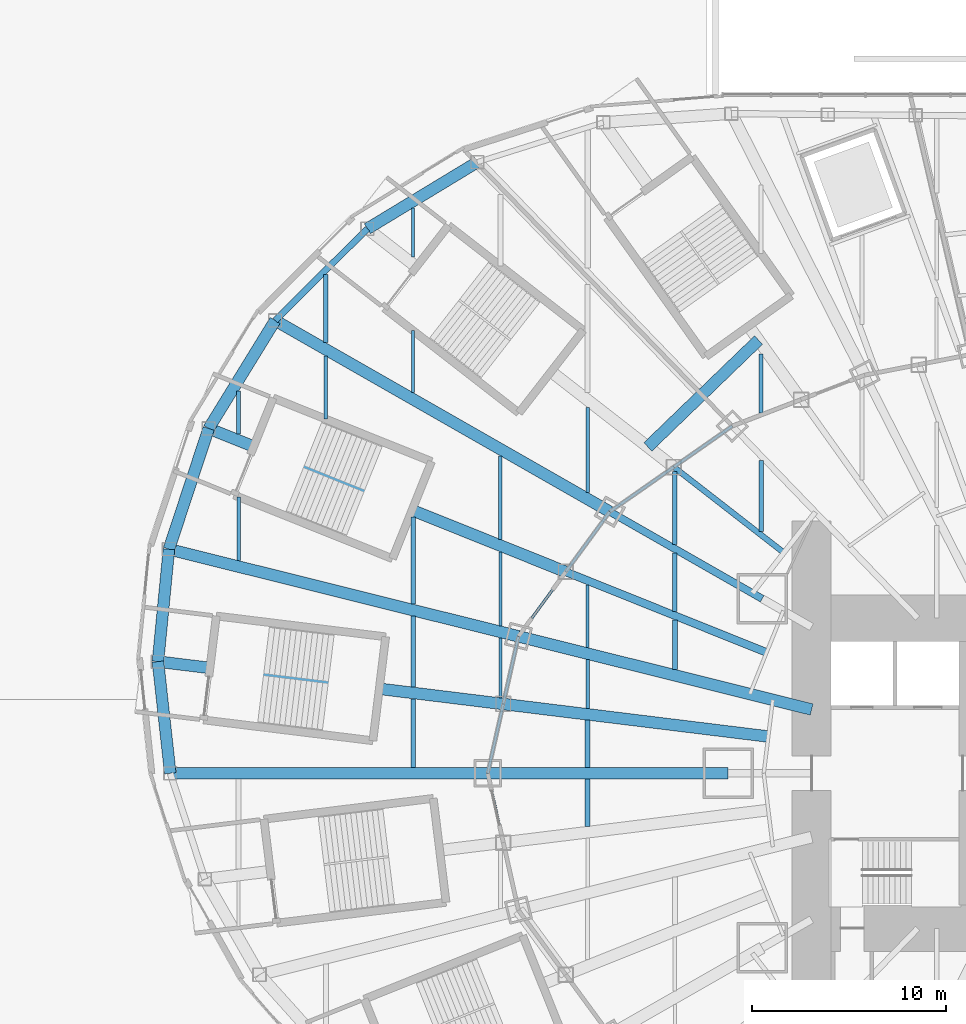
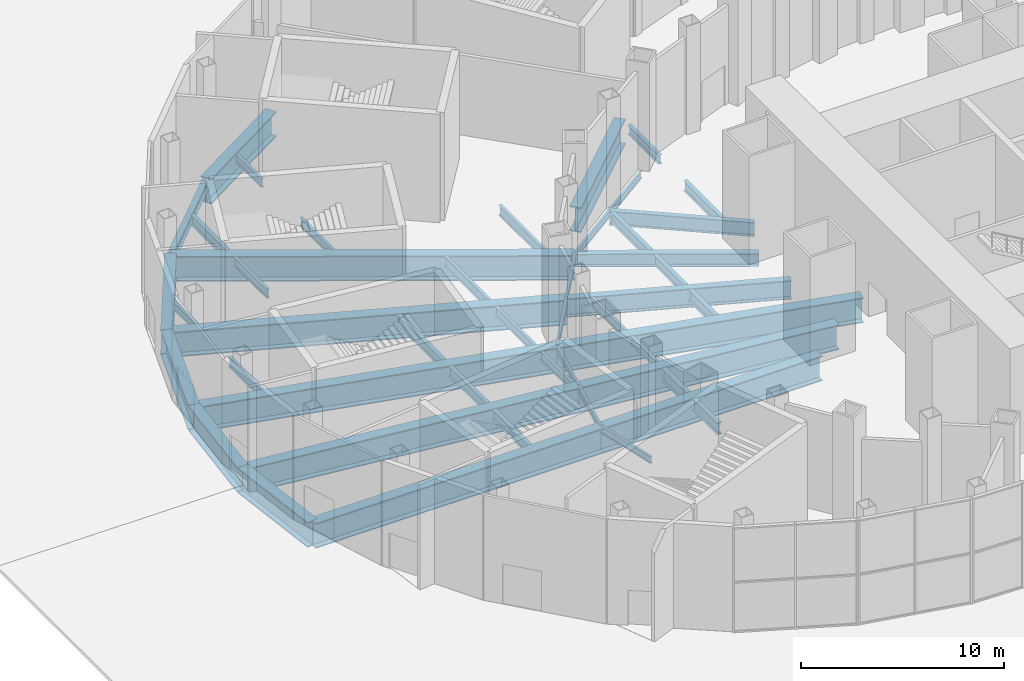
# One storey, part 5 of 47: 47 beams.
"""IFC4 building model written with IfcOpenShell, lengths in metres."""

from ifc_helpers import new_model, si_unit, direction, frame, origin, origin_2d, place, context, subcontext, project, spatial, i_section, extrude, material, material_profile, profile_set, type_object, element, save


model = new_model("IFC4")

# Units and contexts
model_context = context("Model", 3, precision=1e-05, world=origin(), true_north=direction((0.0, 1.0)))
body_context = subcontext(model_context, "Body", "Model", "MODEL_VIEW")
ifc_project = project(units=[si_unit("LENGTHUNIT", "METRE"), si_unit("AREAUNIT", "SQUARE_METRE"), si_unit("VOLUMEUNIT", "CUBIC_METRE"), si_unit("PLANEANGLEUNIT", "RADIAN"), si_unit("MASSUNIT", "GRAM", prefix="KILO")], contexts=[model_context])

# Site, building, storey
site_placement = place(None, origin())
site = spatial("IfcSite", under=ifc_project, at=site_placement, CompositionType="ELEMENT")
building_placement = place(site_placement, origin())
building = spatial("IfcBuilding", under=site, at=building_placement, Name="Lantaw Convention Tower", CompositionType="ELEMENT")
storey_placement = place(building_placement, origin())
storey = spatial("IfcBuildingStorey", under=building, at=storey_placement, Name="L00", CompositionType="ELEMENT", Elevation=0.0)

# Beams
ifc_material_1 = material(Name="Steel ASTM A572 Grade 50", Category="steel")
ifc_material_profile_1 = material_profile(ifc_material_1, i_section(OverallWidth=0.60009765625, OverallDepth=1.5, WebThickness=0.02490234375, FlangeThickness=0.06005859375, at=origin_2d()), Name="PG1500X600X25X60")
ifc_profile_set_1 = profile_set([ifc_material_profile_1], Name="Steel ASTM A572 Grade 50")
beam_type_1 = type_object("IfcBeamType", Name="Beam E PG1500X600X25X60", PredefinedType="SPANDREL", material=ifc_profile_set_1)
beam_1_placement = place(storey_placement, frame((-30.43603515625, 31.517578125, -1.199951171875), z_axis=(-0.855269526547, -0.518183400893, 0.0), x_axis=(0.518183400893, -0.855269526547, 0.0)))
element("IfcBeam", 1, at=beam_1_placement, inside=storey, type_object=beam_type_1, Name="Podium edge beam R09", PredefinedType="SPANDREL", context=body_context, shape_type="SweptSolid", body=[
    extrude(i_section(OverallWidth=0.60009765625, OverallDepth=1.5, WebThickness=0.02490234375, FlangeThickness=0.06005859375, at=origin_2d()), origin(), (0.0, 0.0, 1.0), 6.63134765625),
])
beam_2_placement = place(storey_placement, frame((-40.864013671875, 23.350830078125, -1.199951171875), z_axis=(-0.524178644867, -0.851608330317, 0.0), x_axis=(0.851608330317, -0.524178644867, 0.0)))
element("IfcBeam", 2, at=beam_2_placement, inside=storey, type_object=beam_type_1, Name="Podium edge beam R10", PredefinedType="SPANDREL", context=body_context, shape_type="SweptSolid", body=[
    extrude(i_section(OverallWidth=0.60009765625, OverallDepth=1.5, WebThickness=0.02490234375, FlangeThickness=0.06005859375, at=origin_2d()), origin(), (0.0, 0.0, 1.0), 6.54052734375),
])
beam_3_placement = place(storey_placement, frame((-44.29248046875, 17.78076171875, -1.199951171875), z_axis=(-0.312739573604, -0.949838912186, 0.0), x_axis=(0.949838912186, -0.312739573604, 0.0)))
element("IfcBeam", 3, at=beam_3_placement, inside=storey, type_object=beam_type_1, Name="Podium edge beam B10", PredefinedType="SPANDREL", context=body_context, shape_type="SweptSolid", body=[
    extrude(i_section(OverallWidth=0.60009765625, OverallDepth=1.5, WebThickness=0.02490234375, FlangeThickness=0.06005859375, at=origin_2d()), origin(), (0.0, 0.0, 1.0), 6.55517578125),
])
beam_4_placement = place(storey_placement, frame((-46.342529296875, 11.554443359375, -1.199951171875), z_axis=(-0.097112121047, -0.995273447825, 0.0), x_axis=(0.995273447825, -0.097112121047, 0.0)))
element("IfcBeam", 4, at=beam_4_placement, inside=storey, type_object=beam_type_1, Name="Podium edge beam R11", PredefinedType="SPANDREL", context=body_context, shape_type="SweptSolid", body=[
    extrude(i_section(OverallWidth=0.60009765625, OverallDepth=1.5, WebThickness=0.02490234375, FlangeThickness=0.06005859375, at=origin_2d()), origin(), (0.0, 0.0, 1.0), 5.822509765625),
])
beam_5_placement = place(storey_placement, frame((-46.907958984375, 5.759521484375, -1.199951171875), z_axis=(0.109673093737, -0.993967712006, 0.0), x_axis=(0.993967712006, 0.109673093737, 0.0)))
element("IfcBeam", 5, at=beam_5_placement, inside=storey, type_object=beam_type_1, Name="Podium edge beam B11", PredefinedType="SPANDREL", context=body_context, shape_type="SweptSolid", body=[
    extrude(i_section(OverallWidth=0.60009765625, OverallDepth=1.5, WebThickness=0.02490234375, FlangeThickness=0.06005859375, at=origin_2d()), origin(), (0.0, 0.0, 1.0), 5.79443359375),
])
ifc_material_2 = material(Name="Steel ASTM A992", Category="steel")
ifc_material_profile_2 = material_profile(ifc_material_2, i_section(OverallWidth=0.140380859375, OverallDepth=0.40380859375, WebThickness=0.007080078125, FlangeThickness=0.01123046875, FilletRadius=0.01025390625, at=origin_2d()), Name="W16X31")
ifc_profile_set_2 = profile_set([ifc_material_profile_2], Name="Steel ASTM A992")
beam_type_2 = type_object("IfcBeamType", Name="Beam E W16X31", PredefinedType="SPANDREL", material=ifc_profile_set_2)
beam_6_placement = place(storey_placement, frame((-17.290771484375, 17.9052734375, -0.65185546875), z_axis=(-0.819409395821, -0.573208724672, 0.0), x_axis=(0.573208724672, -0.819409395821, 0.0)))
element("IfcBeam", 6, at=beam_6_placement, inside=storey, type_object=beam_type_2, Name="Edge beam 10", PredefinedType="SPANDREL", context=body_context, shape_type="SweptSolid", body=[
    extrude(i_section(OverallWidth=0.140380859375, OverallDepth=0.40380859375, WebThickness=0.007080078125, FlangeThickness=0.01123046875, FilletRadius=0.01025390625, at=origin_2d()), origin(), (0.0, 0.0, 1.0), 3.682861328125),
])
beam_7_placement = place(storey_placement, frame((-20.30859375, 15.794189453125, -0.65185546875), z_axis=(-0.819442856133, -0.573160889744, 0.0), x_axis=(0.573160889744, -0.819442856133, 0.0)))
element("IfcBeam", 7, at=beam_7_placement, inside=storey, type_object=beam_type_2, Name="Edge beam 10", PredefinedType="SPANDREL", context=body_context, shape_type="SweptSolid", body=[
    extrude(i_section(OverallWidth=0.140380859375, OverallDepth=0.40380859375, WebThickness=0.007080078125, FlangeThickness=0.01123046875, FilletRadius=0.01025390625, at=origin_2d()), origin(), (0.0, 0.0, 1.0), 4.022705078125),
])
beam_8_placement = place(storey_placement, frame((-23.60498046875, 13.488525390625, -0.65185546875), z_axis=(-0.591286566758, -0.806461527893, 0.0), x_axis=(0.806461527893, -0.591286566758, 0.0)))
element("IfcBeam", 8, at=beam_8_placement, inside=storey, type_object=beam_type_2, Name="Edge beam 11", PredefinedType="SPANDREL", context=body_context, shape_type="SweptSolid", body=[
    extrude(i_section(OverallWidth=0.140380859375, OverallDepth=0.40380859375, WebThickness=0.007080078125, FlangeThickness=0.01123046875, FilletRadius=0.01025390625, at=origin_2d()), origin(), (0.0, 0.0, 1.0), 3.843994140625),
])
beam_9_placement = place(storey_placement, frame((-25.8779296875, 10.388427734375, -0.65185546875), z_axis=(-0.591255937291, -0.806483984105, 0.0), x_axis=(0.806483984105, -0.591255937291, 0.0)))
element("IfcBeam", 9, at=beam_9_placement, inside=storey, type_object=beam_type_2, Name="Edge beam 11", PredefinedType="SPANDREL", context=body_context, shape_type="SweptSolid", body=[
    extrude(i_section(OverallWidth=0.140380859375, OverallDepth=0.40380859375, WebThickness=0.007080078125, FlangeThickness=0.01123046875, FilletRadius=0.01025390625, at=origin_2d()), origin(), (0.0, 0.0, 1.0), 4.126708984375),
])
beam_10_placement = place(storey_placement, frame((-28.31787109375, 7.060302734375, -0.65185546875), z_axis=(-0.218673326171, -0.97579812278, 0.0), x_axis=(0.97579812278, -0.218673326171, 0.0)))
element("IfcBeam", 10, at=beam_10_placement, inside=storey, type_object=beam_type_2, Name="Edge beam 12", PredefinedType="SPANDREL", context=body_context, shape_type="SweptSolid", body=[
    extrude(i_section(OverallWidth=0.140380859375, OverallDepth=0.40380859375, WebThickness=0.007080078125, FlangeThickness=0.01123046875, FilletRadius=0.01025390625, at=origin_2d()), origin(), (0.0, 0.0, 1.0), 3.57373046875),
])
for number, where, z_axis, x_axis, name in (
    (11, (-29.099365234375, 3.572998046875, -0.65185546875), (-0.218631550323, -0.975807483679, 0.0), (0.975807483679, -0.218631550323, 0.0), "Edge beam 12"),
    (12, (-29.89990234375, 0.0, -0.65185546875), (0.218631550323, -0.975807483679, 0.0), (0.975807483679, 0.218631550323, 0.0), "Edge beam 13"),
):
    element("IfcBeam", number, at=place(storey_placement, frame(where, z_axis=z_axis, x_axis=x_axis)), inside=storey, type_object=beam_type_2, Name=name, PredefinedType="SPANDREL", context=body_context, shape_type="SweptSolid", body=[
        extrude(i_section(OverallWidth=0.140380859375, OverallDepth=0.40380859375, WebThickness=0.007080078125, FlangeThickness=0.01123046875, FilletRadius=0.01025390625, at=origin_2d()), origin(), (0.0, 0.0, 1.0), 3.66162109375),
    ])
ifc_material_profile_3 = material_profile(ifc_material_2, i_section(OverallWidth=0.3251953125, OverallDepth=0.612060546875, WebThickness=0.0126953125, FlangeThickness=0.01904296875, FilletRadius=0.0126953125, at=origin_2d()), Name="W24X104")
ifc_profile_set_3 = profile_set([ifc_material_profile_3], Name="Steel ASTM A992")
beam_type_3 = type_object("IfcBeamType", Name="Beam E W24X104", PredefinedType="SPANDREL", material=ifc_profile_set_3)
beam_11_placement = place(storey_placement, frame((-36.107666015625, 28.081298828125, -0.756103515625), z_axis=(-0.709033046271, -0.705175254314, 0.0), x_axis=(0.705175254314, -0.709033046271, 0.0)))
element("IfcBeam", 13, at=beam_11_placement, inside=storey, type_object=beam_type_3, Name="Podium edge beam B09", PredefinedType="SPANDREL", context=body_context, shape_type="SweptSolid", body=[
    extrude(i_section(OverallWidth=0.3251953125, OverallDepth=0.612060546875, WebThickness=0.0126953125, FlangeThickness=0.01904296875, FilletRadius=0.0126953125, at=origin_2d()), origin(), (0.0, 0.0, 1.0), 6.708251953125),
])
ifc_material_profile_4 = material_profile(ifc_material_1, i_section(OverallWidth=0.60009765625, OverallDepth=1.5, WebThickness=0.02490234375, FlangeThickness=0.06005859375, at=origin_2d()), Name="PG1500X600X25X60")
ifc_profile_set_4 = profile_set([ifc_material_profile_4], Name="Steel ASTM A572 Grade 50")
beam_type_4 = type_object("IfcBeamType", Name="Beam G PG1500X600X25X60", PredefinedType="BEAM", material=ifc_profile_set_4)
beam_12_placement = place(storey_placement, frame((-13.199951171875, 3.291015625, -1.199951171875), z_axis=(-0.970296233567, 0.241919860957, 0.0), x_axis=(-0.241919860957, -0.970296233567, 0.0)))
element("IfcBeam", 14, at=beam_12_placement, inside=storey, type_object=beam_type_4, Name="Floor girder on ray 12", PredefinedType="BEAM", context=body_context, shape_type="SweptSolid", body=[
    extrude(i_section(OverallWidth=0.60009765625, OverallDepth=1.5, WebThickness=0.02490234375, FlangeThickness=0.06005859375, at=origin_2d()), origin(), (0.0, 0.0, 1.0), 15.580810546875),
])
beam_13_placement = place(storey_placement, frame((-15.433349609375, 1.89501953125, -1.199951171875), z_axis=(-0.99254612715, 0.121869542874, 0.0), x_axis=(-0.121869542874, -0.99254612715, 0.0)))
element("IfcBeam", 15, at=beam_13_placement, inside=storey, type_object=beam_type_4, Name="Floor girder on bisector 12", PredefinedType="BEAM", context=body_context, shape_type="SweptSolid", body=[
    extrude(i_section(OverallWidth=0.60009765625, OverallDepth=1.5, WebThickness=0.02490234375, FlangeThickness=0.06005859375, at=origin_2d()), origin(), (0.0, 0.0, 1.0), 13.7685546875),
])
beam_14_placement = place(storey_placement, frame((-17.5, 0.0, -1.199951171875), z_axis=(-1.0, 0.0, 0.0), x_axis=(0.0, -1.0, 0.0)))
element("IfcBeam", 16, at=beam_14_placement, inside=storey, type_object=beam_type_4, Name="Floor girder on ray 13", PredefinedType="BEAM", context=body_context, shape_type="SweptSolid", body=[
    extrude(i_section(OverallWidth=0.60009765625, OverallDepth=1.5, WebThickness=0.02490234375, FlangeThickness=0.06005859375, at=origin_2d()), origin(), (0.0, 0.0, 1.0), 12.39990234375),
])
ifc_material_profile_5 = material_profile(ifc_material_2, i_section(OverallWidth=0.381103515625, OverallDepth=0.772216796875, WebThickness=0.0166015625, FlangeThickness=0.027099609375, FilletRadius=0.0146484375, at=origin_2d()), Name="W30X173")
ifc_profile_set_5 = profile_set([ifc_material_profile_5], Name="Steel ASTM A992")
beam_type_5 = type_object("IfcBeamType", Name="Beam G W30X173", PredefinedType="BEAM", material=ifc_profile_set_5)
beam_15_placement = place(storey_placement, frame((-15.75, 9.0, -0.836181640625), z_axis=(-0.868244802791, 0.496136032179, 0.0), x_axis=(-0.496136032179, -0.868244802791, 0.0)))
element("IfcBeam", 17, at=beam_15_placement, inside=storey, type_object=beam_type_5, Name="Floor girder on ray 11", PredefinedType="BEAM", context=body_context, shape_type="SweptSolid", body=[
    extrude(i_section(OverallWidth=0.381103515625, OverallDepth=0.772216796875, WebThickness=0.0166015625, FlangeThickness=0.027099609375, FilletRadius=0.0146484375, at=origin_2d()), origin(), (0.0, 0.0, 1.0), 9.046875),
])
ifc_material_profile_6 = material_profile(ifc_material_2, i_section(OverallWidth=0.2919921875, OverallDepth=0.845703125, WebThickness=0.015380859375, FlangeThickness=0.0244140625, FilletRadius=0.01513671875, at=origin_2d()), Name="W33X141")
ifc_profile_set_6 = profile_set([ifc_material_profile_6], Name="Steel ASTM A992")
beam_type_6 = type_object("IfcBeamType", Name="Beam G W33X141", PredefinedType="BEAM", material=ifc_profile_set_6)
beam_16_placement = place(storey_placement, frame((-14.628173828125, 11.37646484375, -0.872802734375), z_axis=(-0.789377792374, 0.613907729961, 0.0), x_axis=(-0.613907729961, -0.789377792374, 0.0)))
element("IfcBeam", 18, at=beam_16_placement, inside=storey, type_object=beam_type_6, Name="Floor girder on bisector 10", PredefinedType="BEAM", context=body_context, shape_type="SweptSolid", body=[
    extrude(i_section(OverallWidth=0.2919921875, OverallDepth=0.845703125, WebThickness=0.015380859375, FlangeThickness=0.0244140625, FilletRadius=0.01513671875, at=origin_2d()), origin(), (0.0, 0.0, 1.0), 7.196044921875),
])
ifc_material_profile_7 = material_profile(ifc_material_2, i_section(OverallWidth=0.40380859375, OverallDepth=1.11767578125, WebThickness=0.026123046875, FlangeThickness=0.044921875, FilletRadius=0.02001953125, at=origin_2d()), Name="W44X335")
ifc_profile_set_7 = profile_set([ifc_material_profile_7], Name="Steel ASTM A992")
beam_type_7 = type_object("IfcBeamType", Name="Beam G W44X335", PredefinedType="BEAM", material=ifc_profile_set_7)
beam_17_placement = place(storey_placement, frame((-15.52001953125, 6.23046875, -1.0087890625), z_axis=(-0.928018900171, 0.372533113864, 0.0), x_axis=(-0.372533113864, -0.928018900171, 0.0)))
element("IfcBeam", 19, at=beam_17_placement, inside=storey, type_object=beam_type_7, Name="Floor girder on bisector 11", PredefinedType="BEAM", context=body_context, shape_type="SweptSolid", body=[
    extrude(i_section(OverallWidth=0.40380859375, OverallDepth=1.11767578125, WebThickness=0.026123046875, FlangeThickness=0.044921875, FilletRadius=0.02001953125, at=origin_2d()), origin(), (0.0, 0.0, 1.0), 11.161376953125),
])
ifc_material_profile_8 = material_profile(ifc_material_2, i_section(OverallWidth=0.1904296875, OverallDepth=0.457275390625, WebThickness=0.009033203125, FlangeThickness=0.014404296875, FilletRadius=0.01025390625, at=origin_2d()), Name="W18X50")
ifc_profile_set_8 = profile_set([ifc_material_profile_8], Name="Steel ASTM A992")
beam_type_8 = type_object("IfcBeamType", Name="Beam J W18X50", PredefinedType="JOIST", material=ifc_profile_set_8)
beam_18_placement = place(storey_placement, frame((-42.75, 17.48486328125, -0.6787109375), z_axis=(0.0, 1.0, 0.0), x_axis=(-1.0, 0.0, 0.0)))
element("IfcBeam", 20, at=beam_18_placement, inside=storey, type_object=beam_type_8, Name="Floor joist", PredefinedType="JOIST", context=body_context, shape_type="SweptSolid", body=[
    extrude(i_section(OverallWidth=0.1904296875, OverallDepth=0.457275390625, WebThickness=0.009033203125, FlangeThickness=0.014404296875, FilletRadius=0.01025390625, at=origin_2d()), origin(), (0.0, 0.0, 1.0), 2.2294921875),
])
beam_19_placement = place(storey_placement, frame((-24.75, 3.341064453125, -0.6787109375), z_axis=(0.0, 1.0, 0.0), x_axis=(-1.0, 0.0, 0.0)))
element("IfcBeam", 21, at=beam_19_placement, inside=storey, type_object=beam_type_8, Name="Floor joist", PredefinedType="JOIST", context=body_context, shape_type="SweptSolid", body=[
    extrude(i_section(OverallWidth=0.1904296875, OverallDepth=0.457275390625, WebThickness=0.009033203125, FlangeThickness=0.014404296875, FilletRadius=0.01025390625, at=origin_2d()), origin(), (0.0, 0.0, 1.0), 2.5205078125),
])
ifc_material_profile_9 = material_profile(ifc_material_2, i_section(OverallWidth=0.1650390625, OverallDepth=0.52587890625, WebThickness=0.0087890625, FlangeThickness=0.011474609375, FilletRadius=0.0126953125, at=origin_2d()), Name="W21X44")
ifc_profile_set_9 = profile_set([ifc_material_profile_9], Name="Steel ASTM A992")
beam_type_9 = type_object("IfcBeamType", Name="Beam J W21X44", PredefinedType="JOIST", material=ifc_profile_set_9)
beam_20_placement = place(storey_placement, frame((-33.75, 19.63134765625, -0.712890625), z_axis=(0.0, 1.0, 0.0), x_axis=(-1.0, 0.0, 0.0)))
element("IfcBeam", 22, at=beam_20_placement, inside=storey, type_object=beam_type_9, Name="Floor joist", PredefinedType="JOIST", context=body_context, shape_type="SweptSolid", body=[
    extrude(i_section(OverallWidth=0.1650390625, OverallDepth=0.52587890625, WebThickness=0.0087890625, FlangeThickness=0.011474609375, FilletRadius=0.0126953125, at=origin_2d()), origin(), (0.0, 0.0, 1.0), 3.19580078125),
])
beam_21_placement = place(storey_placement, frame((-33.75, 26.627685546875, -0.712890625), z_axis=(0.0, 1.0, 0.0), x_axis=(-1.0, 0.0, 0.0)))
element("IfcBeam", 23, at=beam_21_placement, inside=storey, type_object=beam_type_9, Name="Floor joist", PredefinedType="JOIST", context=body_context, shape_type="SweptSolid", body=[
    extrude(i_section(OverallWidth=0.1650390625, OverallDepth=0.52587890625, WebThickness=0.0087890625, FlangeThickness=0.011474609375, FilletRadius=0.0126953125, at=origin_2d()), origin(), (0.0, 0.0, 1.0), 2.53125),
])
beam_22_placement = place(storey_placement, frame((-29.25, 3.893798828125, -0.712890625), z_axis=(0.0, 1.0, 0.0), x_axis=(-1.0, 0.0, 0.0)))
element("IfcBeam", 24, at=beam_22_placement, inside=storey, type_object=beam_type_9, Name="Floor joist", PredefinedType="JOIST", context=body_context, shape_type="SweptSolid", body=[
    extrude(i_section(OverallWidth=0.1650390625, OverallDepth=0.52587890625, WebThickness=0.0087890625, FlangeThickness=0.011474609375, FilletRadius=0.0126953125, at=origin_2d()), origin(), (0.0, 0.0, 1.0), 3.08984375),
])
beam_23_placement = place(storey_placement, frame((-24.75, 6.47998046875, -0.712890625), z_axis=(0.0, 1.0, 0.0), x_axis=(-1.0, 0.0, 0.0)))
element("IfcBeam", 25, at=beam_23_placement, inside=storey, type_object=beam_type_9, Name="Floor joist", PredefinedType="JOIST", context=body_context, shape_type="SweptSolid", body=[
    extrude(i_section(OverallWidth=0.1650390625, OverallDepth=0.52587890625, WebThickness=0.0087890625, FlangeThickness=0.011474609375, FilletRadius=0.0126953125, at=origin_2d()), origin(), (0.0, 0.0, 1.0), 3.238037109375),
])
ifc_material_profile_10 = material_profile(ifc_material_2, i_section(OverallWidth=0.165771484375, OverallDepth=0.5283203125, WebThickness=0.009765625, FlangeThickness=0.013671875, FilletRadius=0.012939453125, at=origin_2d()), Name="W21X50")
ifc_profile_set_10 = profile_set([ifc_material_profile_10], Name="Steel ASTM A992")
beam_type_10 = type_object("IfcBeamType", Name="Beam J W21X50", PredefinedType="JOIST", material=ifc_profile_set_10)
beam_24_placement = place(storey_placement, frame((-29.25, 7.60205078125, -0.714111328125), z_axis=(0.0, 1.0, 0.0), x_axis=(-1.0, 0.0, 0.0)))
element("IfcBeam", 26, at=beam_24_placement, inside=storey, type_object=beam_type_10, Name="Floor joist", PredefinedType="JOIST", context=body_context, shape_type="SweptSolid", body=[
    extrude(i_section(OverallWidth=0.165771484375, OverallDepth=0.5283203125, WebThickness=0.009765625, FlangeThickness=0.013671875, FilletRadius=0.012939453125, at=origin_2d()), origin(), (0.0, 0.0, 1.0), 3.81689453125),
])
ifc_material_profile_11 = material_profile(ifc_material_2, i_section(OverallWidth=0.16650390625, OverallDepth=0.535888671875, WebThickness=0.01025390625, FlangeThickness=0.0166015625, FilletRadius=0.0126953125, at=origin_2d()), Name="W21X57")
ifc_profile_set_11 = profile_set([ifc_material_profile_11], Name="Steel ASTM A992")
beam_type_11 = type_object("IfcBeamType", Name="Beam J W21X57", PredefinedType="JOIST", material=ifc_profile_set_11)
beam_25_placement = place(storey_placement, frame((-38.25, 18.264404296875, -0.718017578125), z_axis=(0.0, 1.0, 0.0), x_axis=(-1.0, 0.0, 0.0)))
element("IfcBeam", 27, at=beam_25_placement, inside=storey, type_object=beam_type_11, Name="Floor joist", PredefinedType="JOIST", context=body_context, shape_type="SweptSolid", body=[
    extrude(i_section(OverallWidth=0.16650390625, OverallDepth=0.535888671875, WebThickness=0.01025390625, FlangeThickness=0.0166015625, FilletRadius=0.0126953125, at=origin_2d()), origin(), (0.0, 0.0, 1.0), 3.247314453125),
])
ifc_material_profile_12 = material_profile(ifc_material_2, i_section(OverallWidth=0.2099609375, OverallDepth=0.535888671875, WebThickness=0.010986328125, FlangeThickness=0.017333984375, FilletRadius=0.012939453125, at=origin_2d()), Name="W21X68")
ifc_profile_set_12 = profile_set([ifc_material_profile_12], Name="Steel ASTM A992")
beam_type_12 = type_object("IfcBeamType", Name="Beam J W21X68", PredefinedType="JOIST", material=ifc_profile_set_12)
beam_26_placement = place(storey_placement, frame((-15.800048828125, 18.591552734375, -0.718017578125), z_axis=(0.0, 1.0, 0.0), x_axis=(-1.0, 0.0, 0.0)))
element("IfcBeam", 28, at=beam_26_placement, inside=storey, type_object=beam_type_12, Name="Floor joist", PredefinedType="JOIST", context=body_context, shape_type="SweptSolid", body=[
    extrude(i_section(OverallWidth=0.2099609375, OverallDepth=0.535888671875, WebThickness=0.010986328125, FlangeThickness=0.017333984375, FilletRadius=0.012939453125, at=origin_2d()), origin(), (0.0, 0.0, 1.0), 3.042724609375),
])
ifc_material_profile_13 = material_profile(ifc_material_2, i_section(OverallWidth=0.177978515625, OverallDepth=0.599365234375, WebThickness=0.010009765625, FlangeThickness=0.012939453125, FilletRadius=0.012939453125, at=origin_2d()), Name="W24X55")
ifc_profile_set_13 = profile_set([ifc_material_profile_13], Name="Steel ASTM A992")
beam_type_13 = type_object("IfcBeamType", Name="Beam J W24X55", PredefinedType="JOIST", material=ifc_profile_set_13)
beam_27_placement = place(storey_placement, frame((-42.75, 10.968017578125, -0.749755859375), z_axis=(0.0, 1.0, 0.0), x_axis=(-1.0, 0.0, 0.0)))
element("IfcBeam", 29, at=beam_27_placement, inside=storey, type_object=beam_type_13, Name="Floor joist", PredefinedType="JOIST", context=body_context, shape_type="SweptSolid", body=[
    extrude(i_section(OverallWidth=0.177978515625, OverallDepth=0.599365234375, WebThickness=0.010009765625, FlangeThickness=0.012939453125, FilletRadius=0.012939453125, at=origin_2d()), origin(), (0.0, 0.0, 1.0), 3.2841796875),
])
beam_28_placement = place(storey_placement, frame((-29.25, 12.0654296875, -0.749755859375), z_axis=(0.0, 1.0, 0.0), x_axis=(-1.0, 0.0, 0.0)))
element("IfcBeam", 30, at=beam_28_placement, inside=storey, type_object=beam_type_13, Name="Floor joist", PredefinedType="JOIST", context=body_context, shape_type="SweptSolid", body=[
    extrude(i_section(OverallWidth=0.177978515625, OverallDepth=0.599365234375, WebThickness=0.010009765625, FlangeThickness=0.012939453125, FilletRadius=0.012939453125, at=origin_2d()), origin(), (0.0, 0.0, 1.0), 4.30322265625),
])
beam_29_placement = place(storey_placement, frame((-24.75, 14.48828125, -0.749755859375), z_axis=(0.0, 1.0, 0.0), x_axis=(-1.0, 0.0, 0.0)))
element("IfcBeam", 31, at=beam_29_placement, inside=storey, type_object=beam_type_13, Name="Floor joist", PredefinedType="JOIST", context=body_context, shape_type="SweptSolid", body=[
    extrude(i_section(OverallWidth=0.177978515625, OverallDepth=0.599365234375, WebThickness=0.010009765625, FlangeThickness=0.012939453125, FilletRadius=0.012939453125, at=origin_2d()), origin(), (0.0, 0.0, 1.0), 4.3798828125),
])
ifc_material_profile_14 = material_profile(ifc_material_2, i_section(OverallWidth=0.227783203125, OverallDepth=0.60205078125, WebThickness=0.010498046875, FlangeThickness=0.014892578125, FilletRadius=0.012939453125, at=origin_2d()), Name="W24X68")
ifc_profile_set_14 = profile_set([ifc_material_profile_14], Name="Steel ASTM A992")
beam_type_14 = type_object("IfcBeamType", Name="Beam J W24X68", PredefinedType="JOIST", material=ifc_profile_set_14)
beam_30_placement = place(storey_placement, frame((-38.25, 22.20263671875, -0.7509765625), z_axis=(0.0, 1.0, 0.0), x_axis=(-1.0, 0.0, 0.0)))
element("IfcBeam", 32, at=beam_30_placement, inside=storey, type_object=beam_type_14, Name="Floor joist", PredefinedType="JOIST", context=body_context, shape_type="SweptSolid", body=[
    extrude(i_section(OverallWidth=0.227783203125, OverallDepth=0.60205078125, WebThickness=0.010498046875, FlangeThickness=0.014892578125, FilletRadius=0.012939453125, at=origin_2d()), origin(), (0.0, 0.0, 1.0), 3.518798828125),
])
beam_31_placement = place(storey_placement, frame((-33.75, 4.4462890625, -0.7509765625), z_axis=(0.0, 1.0, 0.0), x_axis=(-1.0, 0.0, 0.0)))
element("IfcBeam", 33, at=beam_31_placement, inside=storey, type_object=beam_type_14, Name="Floor joist", PredefinedType="JOIST", context=body_context, shape_type="SweptSolid", body=[
    extrude(i_section(OverallWidth=0.227783203125, OverallDepth=0.60205078125, WebThickness=0.010498046875, FlangeThickness=0.014892578125, FilletRadius=0.012939453125, at=origin_2d()), origin(), (0.0, 0.0, 1.0), 3.659423828125),
])
beam_32_placement = place(storey_placement, frame((-15.800048828125, 12.472900390625, -0.7509765625), z_axis=(0.0, 1.0, 0.0), x_axis=(-1.0, 0.0, 0.0)))
element("IfcBeam", 34, at=beam_32_placement, inside=storey, type_object=beam_type_14, Name="Floor joist", PredefinedType="JOIST", context=body_context, shape_type="SweptSolid", body=[
    extrude(i_section(OverallWidth=0.227783203125, OverallDepth=0.60205078125, WebThickness=0.010498046875, FlangeThickness=0.014892578125, FilletRadius=0.012939453125, at=origin_2d()), origin(), (0.0, 0.0, 1.0), 3.667236328125),
])
ifc_material_profile_15 = material_profile(ifc_material_2, i_section(OverallWidth=0.22900390625, OverallDepth=0.612060546875, WebThickness=0.011962890625, FlangeThickness=0.01953125, FilletRadius=0.0126953125, at=origin_2d()), Name="W24X84")
ifc_profile_set_15 = profile_set([ifc_material_profile_15], Name="Steel ASTM A992")
beam_type_15 = type_object("IfcBeamType", Name="Beam J W24X84", PredefinedType="JOIST", material=ifc_profile_set_15)
beam_33_placement = place(storey_placement, frame((-33.75, 0.300048828125, -0.756103515625), z_axis=(0.0, 1.0, 0.0), x_axis=(-1.0, 0.0, 0.0)))
element("IfcBeam", 35, at=beam_33_placement, inside=storey, type_object=beam_type_15, Name="Floor joist", PredefinedType="JOIST", context=body_context, shape_type="SweptSolid", body=[
    extrude(i_section(OverallWidth=0.22900390625, OverallDepth=0.612060546875, WebThickness=0.011962890625, FlangeThickness=0.01953125, FilletRadius=0.0126953125, at=origin_2d()), origin(), (0.0, 0.0, 1.0), 3.541748046875),
])
beam_34_placement = place(storey_placement, frame((-33.75, 8.72412109375, -0.756103515625), z_axis=(0.0, 1.0, 0.0), x_axis=(-1.0, 0.0, 0.0)))
element("IfcBeam", 36, at=beam_34_placement, inside=storey, type_object=beam_type_15, Name="Floor joist", PredefinedType="JOIST", context=body_context, shape_type="SweptSolid", body=[
    extrude(i_section(OverallWidth=0.22900390625, OverallDepth=0.612060546875, WebThickness=0.011962890625, FlangeThickness=0.01953125, FilletRadius=0.0126953125, at=origin_2d()), origin(), (0.0, 0.0, 1.0), 4.501220703125),
])
beam_35_placement = place(storey_placement, frame((-20.25, 8.3466796875, -0.756103515625), z_axis=(0.0, 1.0, 0.0), x_axis=(-1.0, 0.0, 0.0)))
element("IfcBeam", 37, at=beam_35_placement, inside=storey, type_object=beam_type_15, Name="Floor joist", PredefinedType="JOIST", context=body_context, shape_type="SweptSolid", body=[
    extrude(i_section(OverallWidth=0.22900390625, OverallDepth=0.612060546875, WebThickness=0.011962890625, FlangeThickness=0.01953125, FilletRadius=0.0126953125, at=origin_2d()), origin(), (0.0, 0.0, 1.0), 3.00537109375),
])
beam_36_placement = place(storey_placement, frame((-20.25, 11.790771484375, -0.756103515625), z_axis=(0.0, 1.0, 0.0), x_axis=(-1.0, 0.0, 0.0)))
element("IfcBeam", 38, at=beam_36_placement, inside=storey, type_object=beam_type_15, Name="Floor joist", PredefinedType="JOIST", context=body_context, shape_type="SweptSolid", body=[
    extrude(i_section(OverallWidth=0.22900390625, OverallDepth=0.612060546875, WebThickness=0.011962890625, FlangeThickness=0.01953125, FilletRadius=0.0126953125, at=origin_2d()), origin(), (0.0, 0.0, 1.0), 3.772705078125),
])
ifc_material_profile_16 = material_profile(ifc_material_2, i_section(OverallWidth=0.25390625, OverallDepth=0.700927734375, WebThickness=0.015380859375, FlangeThickness=0.02783203125, FilletRadius=0.01513671875, at=origin_2d()), Name="W27X129")
ifc_profile_set_16 = profile_set([ifc_material_profile_16], Name="Steel ASTM A992")
beam_type_16 = type_object("IfcBeamType", Name="Beam J W27X129", PredefinedType="JOIST", material=ifc_profile_set_16)
beam_37_placement = place(storey_placement, frame((-24.75, -2.736572265625, -0.800537109375), z_axis=(0.0, 1.0, 0.0), x_axis=(-1.0, 0.0, 0.0)))
element("IfcBeam", 39, at=beam_37_placement, inside=storey, type_object=beam_type_16, Name="Floor joist", PredefinedType="JOIST", context=body_context, shape_type="SweptSolid", body=[
    extrude(i_section(OverallWidth=0.25390625, OverallDepth=0.700927734375, WebThickness=0.015380859375, FlangeThickness=0.02783203125, FilletRadius=0.01513671875, at=origin_2d()), origin(), (0.0, 0.0, 1.0), 2.4365234375),
])
ifc_material_profile_17 = material_profile(ifc_material_2, i_section(OverallWidth=0.25390625, OverallDepth=0.683349609375, WebThickness=0.012451171875, FlangeThickness=0.01904296875, FilletRadius=0.01513671875, at=origin_2d()), Name="W27X94")
ifc_profile_set_17 = profile_set([ifc_material_profile_17], Name="Steel ASTM A992")
beam_type_17 = type_object("IfcBeamType", Name="Beam J W27X94", PredefinedType="JOIST", material=ifc_profile_set_17)
beam_38_placement = place(storey_placement, frame((-20.25, 5.358154296875, -0.791748046875), z_axis=(0.0, 1.0, 0.0), x_axis=(-1.0, 0.0, 0.0)))
element("IfcBeam", 40, at=beam_38_placement, inside=storey, type_object=beam_type_17, Name="Floor joist", PredefinedType="JOIST", context=body_context, shape_type="SweptSolid", body=[
    extrude(i_section(OverallWidth=0.25390625, OverallDepth=0.683349609375, WebThickness=0.012451171875, FlangeThickness=0.01904296875, FilletRadius=0.01513671875, at=origin_2d()), origin(), (0.0, 0.0, 1.0), 2.553466796875),
])
ifc_material_profile_18 = material_profile(ifc_material_2, i_section(OverallWidth=0.2666015625, OverallDepth=0.7568359375, WebThickness=0.013916015625, FlangeThickness=0.019287109375, FilletRadius=0.0126953125, at=origin_2d()), Name="W30X108")
ifc_profile_set_18 = profile_set([ifc_material_profile_18], Name="Steel ASTM A992")
beam_type_18 = type_object("IfcBeamType", Name="Beam J W30X108", PredefinedType="JOIST", material=ifc_profile_set_18)
beam_39_placement = place(storey_placement, frame((-24.75, 0.300048828125, -0.828369140625), z_axis=(0.0, 1.0, 0.0), x_axis=(-1.0, 0.0, 0.0)))
element("IfcBeam", 41, at=beam_39_placement, inside=storey, type_object=beam_type_18, Name="Floor joist", PredefinedType="JOIST", context=body_context, shape_type="SweptSolid", body=[
    extrude(i_section(OverallWidth=0.2666015625, OverallDepth=0.7568359375, WebThickness=0.013916015625, FlangeThickness=0.019287109375, FilletRadius=0.0126953125, at=origin_2d()), origin(), (0.0, 0.0, 1.0), 2.4365234375),
])
ifc_material_profile_19 = material_profile(ifc_material_1, i_section(OverallWidth=0.60009765625, OverallDepth=1.5, WebThickness=0.02490234375, FlangeThickness=0.06005859375, at=origin_2d()), Name="PG1500X600X25X60")
ifc_profile_set_19 = profile_set([ifc_material_profile_19], Name="Steel ASTM A572 Grade 50")
beam_type_19 = type_object("IfcBeamType", Name="Beam PG PG1500X600X25X60", PredefinedType="BEAM", material=ifc_profile_set_19)
beam_40_placement = place(storey_placement, frame((-23.60498046875, 13.488525390625, -1.199951171875), z_axis=(-0.868243142124, 0.496138938357, 0.0), x_axis=(-0.496138938357, -0.868243142124, 0.0)))
element("IfcBeam", 42, at=beam_40_placement, inside=storey, type_object=beam_type_19, Name="Podium girder PR11", PredefinedType="BEAM", context=body_context, shape_type="SweptSolid", body=[
    extrude(i_section(OverallWidth=0.60009765625, OverallDepth=1.5, WebThickness=0.02490234375, FlangeThickness=0.06005859375, at=origin_2d()), origin(), (0.0, 0.0, 1.0), 19.878173828125),
])
beam_41_placement = place(storey_placement, frame((-28.31787109375, 7.060302734375, -1.199951171875), z_axis=(-0.970294606785, 0.24192638559, 0.0), x_axis=(-0.24192638559, -0.970294606785, 0.0)))
element("IfcBeam", 43, at=beam_41_placement, inside=storey, type_object=beam_type_19, Name="Podium girder PR12", PredefinedType="BEAM", context=body_context, shape_type="SweptSolid", body=[
    extrude(i_section(OverallWidth=0.60009765625, OverallDepth=1.5, WebThickness=0.02490234375, FlangeThickness=0.06005859375, at=origin_2d()), origin(), (0.0, 0.0, 1.0), 18.576416015625),
])
beam_42_placement = place(storey_placement, frame((-29.89990234375, 0.0, -1.199951171875), z_axis=(-1.0, 0.0, 0.0), x_axis=(0.0, -1.0, 0.0)))
element("IfcBeam", 44, at=beam_42_placement, inside=storey, type_object=beam_type_19, Name="Podium girder PR13", PredefinedType="BEAM", context=body_context, shape_type="SweptSolid", body=[
    extrude(i_section(OverallWidth=0.60009765625, OverallDepth=1.5, WebThickness=0.02490234375, FlangeThickness=0.06005859375, at=origin_2d()), origin(), (0.0, 0.0, 1.0), 16.37255859375),
])
beam_43_placement = place(storey_placement, frame((-25.8779296875, 10.388427734375, -1.199951171875), z_axis=(-0.928015225832, 0.372542266897, 0.0), x_axis=(-0.372542266897, -0.928015225832, 0.0)))
element("IfcBeam", 45, at=beam_43_placement, inside=storey, type_object=beam_type_19, Name="Podium girder PB11", PredefinedType="BEAM", context=body_context, shape_type="SweptSolid", body=[
    extrude(i_section(OverallWidth=0.60009765625, OverallDepth=1.5, WebThickness=0.02490234375, FlangeThickness=0.06005859375, at=origin_2d()), origin(), (0.0, 0.0, 1.0), 19.843017578125),
])
beam_44_placement = place(storey_placement, frame((-29.099365234375, 3.572998046875, -1.199951171875), z_axis=(-0.992546805071, 0.121864021526, 0.0), x_axis=(-0.121864021526, -0.992546805071, 0.0)))
element("IfcBeam", 46, at=beam_44_placement, inside=storey, type_object=beam_type_19, Name="Podium girder PB12", PredefinedType="BEAM", context=body_context, shape_type="SweptSolid", body=[
    extrude(i_section(OverallWidth=0.60009765625, OverallDepth=1.5, WebThickness=0.02490234375, FlangeThickness=0.06005859375, at=origin_2d()), origin(), (0.0, 0.0, 1.0), 17.9423828125),
])
ifc_material_profile_20 = material_profile(ifc_material_1, i_section(OverallWidth=0.60009765625, OverallDepth=1.5, WebThickness=0.02490234375, FlangeThickness=0.06005859375, at=origin_2d()), Name="PG1500X600X25X60")
ifc_profile_set_20 = profile_set([ifc_material_profile_20], Name="Steel ASTM A572 Grade 50")
beam_type_20 = type_object("IfcBeamType", Name="Beam TP PG1500X600X25X60", PredefinedType="BEAM", material=ifc_profile_set_20)
beam_45_placement = place(storey_placement, frame((-15.93603515625, 22.34130859375, -1.199951171875), z_axis=(-0.719341000633, -0.694657127515, 0.0), x_axis=(0.694657127515, -0.719341000633, 0.0)))
element("IfcBeam", 47, at=beam_45_placement, inside=storey, type_object=beam_type_20, Name="Trimmer beam on ray 10", PredefinedType="BEAM", context=body_context, shape_type="SweptSolid", body=[
    extrude(i_section(OverallWidth=0.60009765625, OverallDepth=1.5, WebThickness=0.02490234375, FlangeThickness=0.06005859375, at=origin_2d()), origin(), (0.0, 0.0, 1.0), 7.932373046875),
])

save(model, "model.ifc")
